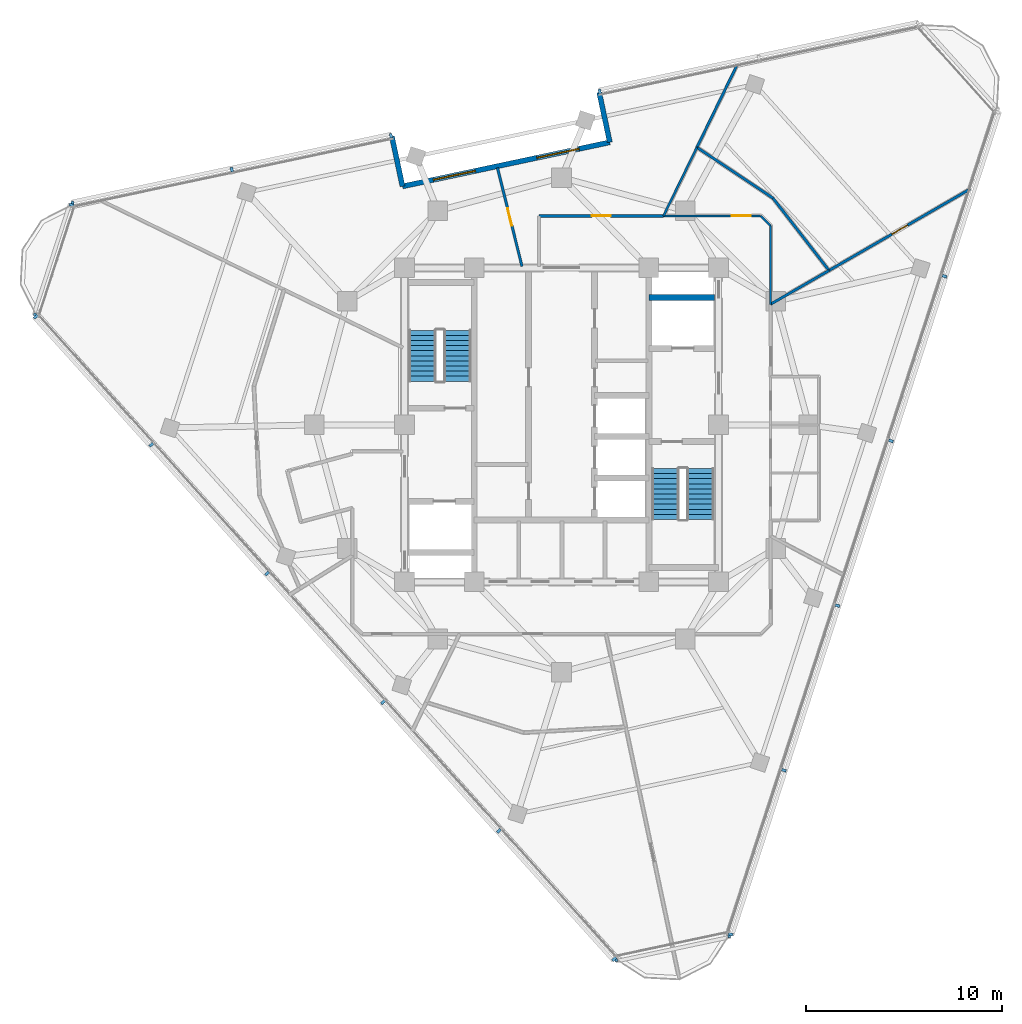
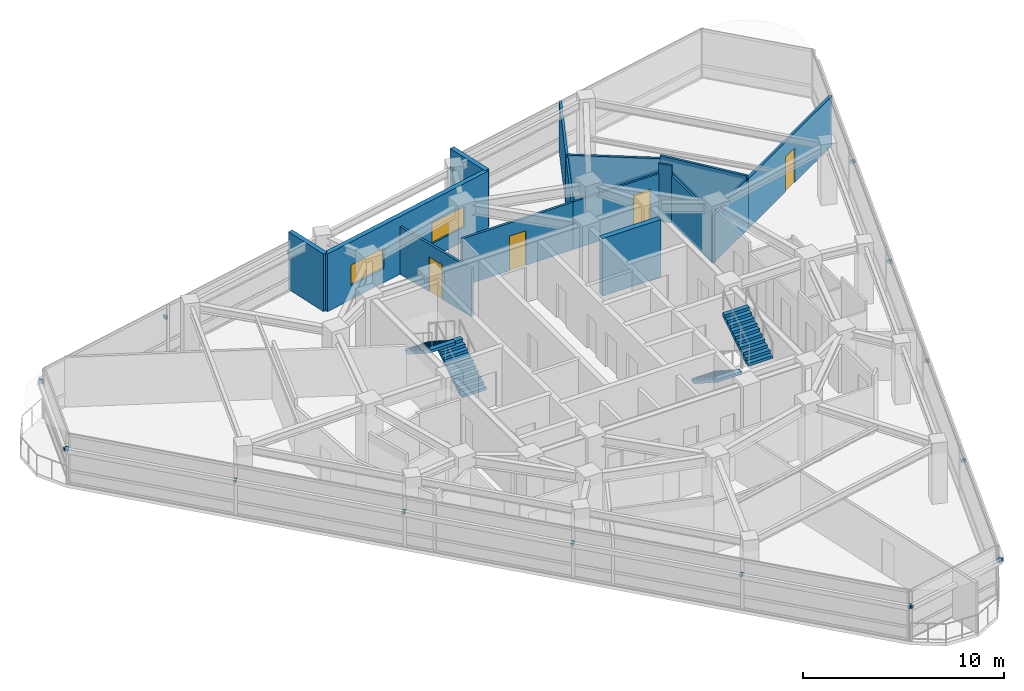
# One storey, part 10 of 15: 19 discrete accessories, 15 walls, 4 doors, 4 stair flights, 2 windows, 6 openings, 2 elements without a shape of their own.
"""IFC4 building model written with IfcOpenShell, lengths in metres."""

from ifc_helpers import new_model, si_unit, direction, frame, frame_2d, origin, origin_2d, place, context, subcontext, project, spatial, polyline, rectangle, outline, extrude, material, layer, layer_set, type_object, element, fill, aggregate, save


model = new_model("IFC4")

# Units and contexts
model_context = context("Model", 3, precision=1e-05, world=origin(), true_north=direction((0.0, 1.0)))
body_context = subcontext(model_context, "Body", "Model", "MODEL_VIEW")
ifc_project = project(units=[si_unit("LENGTHUNIT", "METRE"), si_unit("AREAUNIT", "SQUARE_METRE"), si_unit("VOLUMEUNIT", "CUBIC_METRE"), si_unit("PLANEANGLEUNIT", "RADIAN"), si_unit("MASSUNIT", "GRAM", prefix="KILO")], contexts=[model_context])

# Site, building, storey
site_placement = place(None, origin())
site = spatial("IfcSite", under=ifc_project, at=site_placement, CompositionType="ELEMENT")
building_placement = place(site_placement, origin())
building = spatial("IfcBuilding", under=site, at=building_placement, Name="Terralouvre Media Tower", CompositionType="ELEMENT")
storey_placement = place(building_placement, frame((0.0, 0.0, 305.39990234375)))
storey = spatial("IfcBuildingStorey", under=building, at=storey_placement, Name="L79", CompositionType="ELEMENT", Elevation=305.39990234375)

# Wall
ifc_material_1 = material(Name="Concrete C50/60", Category="concrete")
ifc_layer_1 = layer(ifc_material_1, 0.300048828125, Name="Core Internal Shaft Wall CW-300")
ifc_layer_set_1 = layer_set([ifc_layer_1], Name="Concrete C50/60")
wall_type_1 = type_object("IfcWallType", Name="Core Internal Shaft Wall CW-300", PredefinedType="SHEAR", material=ifc_layer_set_1)
wall_1_placement = place(storey_placement, frame((4.449951171875, 6.5, 0.0), z_axis=(0.0, 0.0, 1.0), x_axis=(1.0, 0.0, 0.0)))
element("IfcWall", 1, at=wall_1_placement, inside=storey, type_object=wall_type_1, Name="L79 Core Shaft Wall FF2N", PredefinedType="SHEAR", context=body_context, shape_type="SweptSolid", body=[
    extrude(rectangle(XDim=3.340087890625, YDim=0.300048828125, at=frame_2d((1.669921875, 0.0))), origin(), (0.0, 0.0, 1.0), 3.5),
])

# Wall, opening, door
ifc_material_2 = material(Name="Fire-rated gypsum board drywall partition")
ifc_layer_2 = layer(ifc_material_2, 0.135009765625, Name="Newsroom Acoustic Partition PT-135")
ifc_layer_set_2 = layer_set([ifc_layer_2], Name="Fire-rated gypsum board drywall partition")
wall_type_2 = type_object("IfcWallType", Name="Newsroom Acoustic Partition PT-135", PredefinedType="PARTITIONING", material=ifc_layer_set_2)
wall_2_placement = place(storey_placement, frame((5.194091796875, 10.64990234375, 0.0), z_axis=(0.0, 0.0, 1.0), x_axis=(-1.0, 0.0, 0.0)))
wall_2 = element("IfcWall", 2, at=wall_2_placement, inside=storey, type_object=wall_type_2, Name="L79 Interior Partition 021", PredefinedType="PARTITIONING", context=body_context, shape_type="SweptSolid", body=[
    extrude(rectangle(XDim=6.343994140625, YDim=0.135009765625, at=frame_2d((3.171875, 0.0))), origin(), (0.0, 0.0, 1.0), 2.885009765625),
])
opening_1_placement = place(wall_2_placement, frame((2.697021484375, 0.0, 0.0)))
opening_1 = element("IfcOpeningElement", 3, at=opening_1_placement, cuts=wall_2, Name="Opening ID-02-95X210", PredefinedType="OPENING", context=body_context, shape_type="SweptSolid", body=[
    extrude(rectangle(XDim=0.949951171875, YDim=2.10009765625, at=frame_2d((0.47509765625, 1.050048828125))), frame((0.0, 0.077392578125, 0.0), z_axis=(0.0, -1.0, 0.0), x_axis=(1.0, 0.0, 0.0)), (0.0, 0.0, 1.0), 0.155029296875),
])
ifc_material_3 = material(Name="Engineered hardwood acoustic timber leaf", Category="wood")
door_type_1 = type_object("IfcDoorType", Name="Office and Meeting Room Door ID-02 (950x2100)", OperationType="NOTDEFINED", PredefinedType="DOOR", material=ifc_material_3)
door_1_placement = place(opening_1_placement, origin())
door_1 = element("IfcDoor", 4, at=door_1_placement, inside=storey, type_object=door_type_1, Name="L79 Microphone Locker Store 9 Door", OperationType="SINGLE_SWING_LEFT", OverallHeight=2.10009765625, OverallWidth=0.949951171875, PredefinedType="DOOR", context=body_context, shape_type="SweptSolid", body=[
    extrude(rectangle(XDim=0.949951171875, YDim=2.10009765625, at=frame_2d((0.47509765625, 1.050048828125))), frame((0.0, 0.02490234375, 0.0), z_axis=(0.0, -1.0, 0.0), x_axis=(1.0, 0.0, 0.0)), (0.0, 0.0, 1.0), 0.050048828125),
])
fill(opening_1, door_1)

wall_3_placement = place(storey_placement, frame((20.832763671875, 12.02783203125, 0.0), z_axis=(0.0, 0.0, 1.0), x_axis=(-0.866007163819, -0.500031591216, 0.0)))
wall_3 = element("IfcWall", 5, at=wall_3_placement, inside=storey, type_object=wall_type_2, Name="L79 Interior Partition 043", PredefinedType="PARTITIONING", context=body_context, shape_type="SweptSolid", body=[
    extrude(rectangle(XDim=8.3173828125, YDim=0.135009765625, at=frame_2d((4.15869140625, 0.0))), origin(), (0.0, 0.0, 1.0), 3.03515625),
])
opening_2_placement = place(wall_3_placement, frame((3.698486328125, 0.0, 0.0)))
opening_2 = element("IfcOpeningElement", 6, at=opening_2_placement, cuts=wall_3, Name="Opening ID-03-92X210", PredefinedType="OPENING", context=body_context, shape_type="SweptSolid", body=[
    extrude(rectangle(XDim=0.919921875, YDim=2.10009765625, at=frame_2d((0.4599609375, 1.050048828125))), frame((0.0, 0.077392578125, 0.0), z_axis=(0.0, -1.0, 0.0), x_axis=(1.0, 0.0, 0.0)), (0.0, 0.0, 1.0), 0.155029296875),
])
ifc_material_4 = material(Name="Engineered hardwood acoustic timber leaf", Category="wood")
door_type_2 = type_object("IfcDoorType", Name="Accessible Restroom and Suite Door ID-03 (920x2100)", OperationType="NOTDEFINED", PredefinedType="DOOR", material=ifc_material_4)
door_2_placement = place(opening_2_placement, origin())
door_2 = element("IfcDoor", 7, at=door_2_placement, inside=storey, type_object=door_type_2, Name="L79 Sound Engineers Crew Room 7 Door", OperationType="SINGLE_SWING_LEFT", OverallHeight=2.10009765625, OverallWidth=0.919921875, PredefinedType="DOOR", context=body_context, shape_type="SweptSolid", body=[
    extrude(rectangle(XDim=0.919921875, YDim=2.10009765625, at=frame_2d((0.4599609375, 1.050048828125))), frame((0.0, 0.02490234375, 0.0), z_axis=(0.0, -1.0, 0.0), x_axis=(1.0, 0.0, 0.0)), (0.0, 0.0, 1.0), 0.050048828125),
])
fill(opening_2, door_2)

# Walls
wall_4_placement = place(storey_placement, frame((13.6298828125, 7.868896484375, 0.0), z_axis=(0.0, 0.0, 1.0), x_axis=(-0.866091067331, -0.499886250151, 0.0)))
element("IfcWall", 8, at=wall_4_placement, inside=storey, type_object=wall_type_2, Name="L79 Interior Partition 044", PredefinedType="PARTITIONING", context=body_context, shape_type="SweptSolid", body=[
    extrude(rectangle(XDim=3.440673828125, YDim=0.135009765625, at=frame_2d((1.72021484375, 0.0))), origin(), (0.0, 0.0, 1.0), 2.885009765625),
])
wall_5_placement = place(storey_placement, frame((6.89892578125, 14.14501953125, 0.0), z_axis=(0.0, 0.0, 1.0), x_axis=(0.831510168033, -0.555509532283, 0.0)))
element("IfcWall", 9, at=wall_5_placement, inside=storey, type_object=wall_type_2, Name="L79 Interior Partition 045", PredefinedType="PARTITIONING", context=body_context, shape_type="SweptSolid", body=[
    extrude(rectangle(XDim=4.66259765625, YDim=0.135009765625, at=frame_2d((2.331298828125, 0.0))), origin(), (0.0, 0.0, 1.0), 3.03515625),
])
wall_6_placement = place(storey_placement, frame((10.77587890625, 11.554931640625, 0.0), z_axis=(0.0, 0.0, 1.0), x_axis=(0.612213330569, -0.790692631731, 0.0)))
element("IfcWall", 10, at=wall_6_placement, inside=storey, type_object=wall_type_2, Name="L79 Interior Partition 046", PredefinedType="PARTITIONING", context=body_context, shape_type="SweptSolid", body=[
    extrude(rectangle(XDim=4.661865234375, YDim=0.135009765625, at=frame_2d((2.3310546875, 0.0))), origin(), (0.0, 0.0, 1.0), 3.215087890625),
])
wall_7_placement = place(storey_placement, frame((8.9541015625, 18.359130859375, 0.0), z_axis=(0.0, 0.0, 1.0), x_axis=(-0.438339504666, -0.898809478504, 0.0)))
element("IfcWall", 11, at=wall_7_placement, inside=storey, type_object=wall_type_2, Name="L79 Interior Partition 047", PredefinedType="PARTITIONING", context=body_context, shape_type="SweptSolid", body=[
    extrude(rectangle(XDim=4.6884765625, YDim=0.135009765625, at=frame_2d((2.34423828125, 0.0))), origin(), (0.0, 0.0, 1.0), 3.03515625),
])

# Wall, opening, door
wall_8_placement = place(storey_placement, frame((-3.2666015625, 13.103515625, 0.0), z_axis=(0.0, 0.0, 1.0), x_axis=(0.241825418424, -0.970319775643, 0.0)))
wall_8 = element("IfcWall", 12, at=wall_8_placement, inside=storey, type_object=wall_type_2, Name="L79 Interior Partition 049", PredefinedType="PARTITIONING", context=body_context, shape_type="SweptSolid", body=[
    extrude(rectangle(XDim=5.177001953125, YDim=0.135009765625, at=frame_2d((2.58837890625, 0.0))), origin(), (0.0, 0.0, 1.0), 2.885009765625),
])
opening_3_placement = place(wall_8_placement, frame((2.128662109375, 0.0, 0.0)))
opening_3 = element("IfcOpeningElement", 13, at=opening_3_placement, cuts=wall_8, Name="Opening ID-03-92X210", PredefinedType="OPENING", context=body_context, shape_type="SweptSolid", body=[
    extrude(rectangle(XDim=0.919921875, YDim=2.10009765625, at=frame_2d((0.4599609375, 1.050048828125))), frame((0.0, 0.077392578125, 0.0), z_axis=(0.0, -1.0, 0.0), x_axis=(1.0, 0.0, 0.0)), (0.0, 0.0, 1.0), 0.155029296875),
])
door_3_placement = place(opening_3_placement, origin())
door_3 = element("IfcDoor", 14, at=door_3_placement, inside=storey, type_object=door_type_2, Name="L79 Audio Tape Archive Storage 10 Door", OperationType="SINGLE_SWING_RIGHT", OverallHeight=2.10009765625, OverallWidth=0.919921875, PredefinedType="DOOR", context=body_context, shape_type="SweptSolid", body=[
    extrude(rectangle(XDim=0.919921875, YDim=2.10009765625, at=frame_2d((0.4599609375, 1.050048828125))), frame((0.0, 0.02490234375, 0.0), z_axis=(0.0, -1.0, 0.0), x_axis=(1.0, 0.0, 0.0)), (0.0, 0.0, 1.0), 0.050048828125),
])
fill(opening_3, door_3)

# Wall, openings, windows
ifc_material_5 = material(Name="Kiln-fired architectural terracotta rainscreen cladding", Category="masonry")
ifc_layer_3 = layer(ifc_material_5, 0.260009765625, Name="Recessed Sky-Garden Acoustic Wall EW-SG260")
ifc_layer_set_3 = layer_set([ifc_layer_3], Name="Kiln-fired architectural terracotta rainscreen cladding")
wall_type_3 = type_object("IfcWallType", Name="Recessed Sky-Garden Acoustic Wall EW-SG260", PredefinedType="SOLIDWALL", material=ifc_layer_set_3)
wall_9_placement = place(storey_placement, frame((2.459228515625, 14.40234375, 0.0), z_axis=(0.0, 0.0, 1.0), x_axis=(-0.978149082982, -0.207904717268, 0.0)))
wall_9 = element("IfcWall", 15, at=wall_9_placement, inside=storey, type_object=wall_type_3, Name="L79 WP Recessed Loggia Back Wall", PredefinedType="SOLIDWALL", context=body_context, shape_type="SweptSolid", body=[
    extrude(rectangle(XDim=10.800048828125, YDim=0.260009765625, at=frame_2d((5.39990234375, 0.0))), origin(), (0.0, 0.0, 1.0), 3.5),
])
opening_4_placement = place(wall_9_placement, frame((1.60009765625, 0.0, 0.85009765625)))
opening_4 = element("IfcOpeningElement", 16, at=opening_4_placement, cuts=wall_9, Name="Opening W-04", PredefinedType="OPENING", context=body_context, shape_type="SweptSolid", body=[
    extrude(rectangle(XDim=2.199951171875, YDim=1.25, at=frame_2d((1.10009765625, 0.625))), frame((0.0, 0.139892578125, 0.0), z_axis=(0.0, -1.0, 0.0), x_axis=(1.0, 0.0, 0.0)), (0.0, 0.0, 1.0), 0.280029296875),
])
opening_5_placement = place(wall_9_placement, frame((7.0, 0.0, 0.85009765625)))
opening_5 = element("IfcOpeningElement", 17, at=opening_5_placement, cuts=wall_9, Name="Opening W-04", PredefinedType="OPENING", context=body_context, shape_type="SweptSolid", body=[
    extrude(rectangle(XDim=2.199951171875, YDim=1.25, at=frame_2d((1.10009765625, 0.625))), frame((0.0, 0.139892578125, 0.0), z_axis=(0.0, -1.0, 0.0), x_axis=(1.0, 0.0, 0.0)), (0.0, 0.0, 1.0), 0.280029296875),
])
ifc_material_6 = material(Name="Low-iron laminated double glazing with solar-control coating", Category="glass")
window_type = type_object("IfcWindowType", Name="Wind-Portal Observation Window W-04", PartitioningType="SINGLE_PANEL", PredefinedType="WINDOW", material=ifc_material_6)
window_1_placement = place(opening_4_placement, origin())
window_1 = element("IfcWindow", 18, at=window_1_placement, inside=storey, type_object=window_type, Name="L79 Pocket Loggia Window 1", OverallHeight=1.25, OverallWidth=2.199951171875, PartitioningType="SINGLE_PANEL", PredefinedType="WINDOW", context=body_context, shape_type="SweptSolid", body=[
    extrude(rectangle(XDim=2.199951171875, YDim=1.25, at=frame_2d((1.10009765625, 0.625))), frame((0.0, 0.030029296875, 0.0), z_axis=(0.0, -1.0, 0.0), x_axis=(1.0, 0.0, 0.0)), (0.0, 0.0, 1.0), 0.06005859375),
])
fill(opening_4, window_1)
window_2_placement = place(opening_5_placement, origin())
window_2 = element("IfcWindow", 19, at=window_2_placement, inside=storey, type_object=window_type, Name="L79 Pocket Loggia Window 2", OverallHeight=1.25, OverallWidth=2.199951171875, PartitioningType="SINGLE_PANEL", PredefinedType="WINDOW", context=body_context, shape_type="SweptSolid", body=[
    extrude(rectangle(XDim=2.199951171875, YDim=1.25, at=frame_2d((1.10009765625, 0.625))), frame((0.0, 0.030029296875, 0.0), z_axis=(0.0, -1.0, 0.0), x_axis=(1.0, 0.0, 0.0)), (0.0, 0.0, 1.0), 0.06005859375),
])
fill(opening_5, window_2)

# Walls
for number, where, z_axis, x_axis, name in (
    (20, (1.918701171875, 16.945556640625, 0.0), (0.0, 0.0, 1.0), (0.207893569688, -0.978151452323, 0.0), "L79 WP Pocket Left Cheek Wall"),
    (21, (-8.104736328125, 12.156982421875, 0.0), (0.0, 0.0, 1.0), (-0.207893569688, 0.978151452323, 0.0), "L79 WP Pocket Right Cheek Wall"),
):
    element("IfcWall", number, at=place(storey_placement, frame(where, z_axis=z_axis, x_axis=x_axis)), inside=storey, type_object=wall_type_3, Name=name, PredefinedType="SOLIDWALL", context=body_context, shape_type="SweptSolid", body=[
        extrude(rectangle(XDim=2.60009765625, YDim=0.260009765625, at=frame_2d((1.300048828125, 0.0))), origin(), (0.0, 0.0, 1.0), 3.5),
    ])
ifc_material_7 = material(Name="Fire-rated gypsum board drywall partition")
ifc_layer_4 = layer(ifc_material_7, 0.114990234375, Name="Restroom and Pantry Partition PT-115")
ifc_layer_set_4 = layer_set([ifc_layer_4], Name="Fire-rated gypsum board drywall partition")
wall_type_4 = type_object("IfcWallType", Name="Restroom and Pantry Partition PT-115", PredefinedType="PARTITIONING", material=ifc_layer_set_4)
wall_10_placement = place(storey_placement, frame((10.64990234375, 6.14892578125, 0.0), z_axis=(0.0, 0.0, 1.0), x_axis=(0.0, 1.0, 0.0)))
element("IfcWall", 22, at=wall_10_placement, inside=storey, type_object=wall_type_4, Name="L79 Interior Partition 018", PredefinedType="PARTITIONING", context=body_context, shape_type="SweptSolid", body=[
    extrude(rectangle(XDim=4.0009765625, YDim=0.114990234375, at=frame_2d((2.00048828125, 0.0))), origin(), (0.0, 0.0, 1.0), 2.885009765625),
])
wall_11_placement = place(storey_placement, frame((10.64990234375, 10.14990234375, 0.0), z_axis=(0.0, 0.0, 1.0), x_axis=(-0.707106781187, 0.707106781187, 0.0)))
element("IfcWall", 23, at=wall_11_placement, inside=storey, type_object=wall_type_4, Name="L79 Interior Partition 019", PredefinedType="PARTITIONING", context=body_context, shape_type="SweptSolid", body=[
    extrude(rectangle(XDim=0.70703125, YDim=0.114990234375, at=frame_2d((0.353515625, 0.0))), origin(), (0.0, 0.0, 1.0), 3.5),
])

# Wall, opening, door
wall_12_placement = place(storey_placement, frame((10.14990234375, 10.64990234375, 0.0), z_axis=(0.0, 0.0, 1.0), x_axis=(-1.0, 0.0, 0.0)))
wall_12 = element("IfcWall", 24, at=wall_12_placement, inside=storey, type_object=wall_type_4, Name="L79 Interior Partition 020", PredefinedType="PARTITIONING", context=body_context, shape_type="SweptSolid", body=[
    extrude(rectangle(XDim=4.955810546875, YDim=0.114990234375, at=frame_2d((2.47802734375, 0.0))), origin(), (0.0, 0.0, 1.0), 2.885009765625),
])
opening_6_placement = place(wall_12_placement, frame((0.51611328125, 0.0, 0.0)))
opening_6 = element("IfcOpeningElement", 25, at=opening_6_placement, cuts=wall_12, Name="Opening SD-01-95X210", PredefinedType="OPENING", context=body_context, shape_type="SweptSolid", body=[
    extrude(rectangle(XDim=0.949951171875, YDim=2.10009765625, at=frame_2d((0.47509765625, 1.050048828125))), frame((0.0, 0.0673828125, 0.0), z_axis=(0.0, -1.0, 0.0), x_axis=(1.0, 0.0, 0.0)), (0.0, 0.0, 1.0), 0.135009765625),
])
ifc_material_8 = material(Name="Anodised extruded aluminium 6063-T6", Category="aluminium")
door_type_3 = type_object("IfcDoorType", Name="Pantry Pocket Sliding Door SD-01 (950x2100)", OperationType="SLIDING_TO_LEFT", PredefinedType="DOOR", material=ifc_material_8)
door_4_placement = place(opening_6_placement, origin())
door_4 = element("IfcDoor", 26, at=door_4_placement, inside=storey, type_object=door_type_3, Name="L79 Artist Hospitality Kitchen 8 Door", OperationType="SLIDING_TO_LEFT", OverallHeight=2.10009765625, OverallWidth=0.949951171875, PredefinedType="DOOR", context=body_context, shape_type="SweptSolid", body=[
    extrude(rectangle(XDim=0.949951171875, YDim=2.10009765625, at=frame_2d((0.47509765625, 1.050048828125))), frame((0.0, 0.02490234375, 0.0), z_axis=(0.0, -1.0, 0.0), x_axis=(1.0, 0.0, 0.0)), (0.0, 0.0, 1.0), 0.050048828125),
])
fill(opening_6, door_4)

# Wall
wall_13_placement = place(storey_placement, frame((6.89892578125, 14.14501953125, 0.0), z_axis=(0.0, 0.0, 1.0), x_axis=(-0.438402604201, -0.898778702813, 0.0)))
element("IfcWall", 27, at=wall_13_placement, inside=storey, type_object=wall_type_4, Name="L79 Interior Partition 048", PredefinedType="PARTITIONING", context=body_context, shape_type="SweptSolid", body=[
    extrude(rectangle(XDim=3.888671875, YDim=0.114990234375, at=frame_2d((1.9443359375, 0.0))), origin(), (0.0, 0.0, 1.0), 2.885009765625),
])

# Stair, stair flights
ifc_material_9 = material(Name="Concrete C45/55", Category="concrete")
stair_type_1 = type_object("IfcStairType", Name="Dogleg Stair Assembly ST-01", PredefinedType="HALF_TURN_STAIR", material=ifc_material_9)
stair_1_placement = place(storey_placement, origin())
stair_1 = element("IfcStair", 28, at=stair_1_placement, inside=storey, type_object=stair_type_1, Name="L79 Core Pressurised Exit Stair ST-01", PredefinedType="HALF_TURN_STAIR")
ifc_material_10 = material(Name="Concrete C45/55", Category="concrete")
stair_flight_type = type_object("IfcStairFlightType", Name="Reinforced Concrete Stair Flight SF-RC1", PredefinedType="STRAIGHT", material=ifc_material_10)
stair_flight_1_placement = place(storey_placement, frame((-5.300048828125, 2.219970703125, 0.0), z_axis=(0.0, 0.0, 1.0), x_axis=(0.0, 1.0, 0.0)))
stair_flight_1 = element("IfcStairFlight", 29, at=stair_flight_1_placement, type_object=stair_flight_type, Name="ST-01 flight 1", NumberOfRisers=11, NumberOfTreads=10, PredefinedType="STRAIGHT", RiserHeight=0.168181818, TreadLength=0.26, context=body_context, shape_type="SweptSolid", body=[
    extrude(outline(polyline([(0.0, 0.0), (0.0, 0.168212890625), (0.260009765625, 0.168212890625), (0.260009765625, 0.33642578125), (0.52001953125, 0.33642578125), (0.52001953125, 0.504638671875), (0.780029296875, 0.504638671875), (0.780029296875, 0.672607421875), (1.0400390625, 0.672607421875), (1.0400390625, 0.8408203125), (1.300048828125, 0.8408203125), (1.300048828125, 1.009033203125), (1.56005859375, 1.009033203125), (1.56005859375, 1.17724609375), (1.820068359375, 1.17724609375), (1.820068359375, 1.345458984375), (2.080078125, 1.345458984375), (2.080078125, 1.513671875), (2.340087890625, 1.513671875), (2.340087890625, 1.681884765625), (2.60009765625, 1.681884765625), (2.60009765625, 1.85009765625), (2.60009765625, 1.503173828125), (0.27587890625, 0.0), (0.0, 0.0)])), frame((0.0, 0.699951171875, 0.0), z_axis=(0.0, -1.0, 0.0), x_axis=(1.0, 0.0, 0.0)), (0.0, 0.0, 1.0), 1.39990234375),
])
stair_flight_2_placement = place(storey_placement, frame((-7.080078125, 4.820068359375, 1.85009765625), z_axis=(0.0, 0.0, 1.0), x_axis=(0.0, -1.0, 0.0)))
stair_flight_2 = element("IfcStairFlight", 30, at=stair_flight_2_placement, type_object=stair_flight_type, Name="ST-01 flight 2", NumberOfRisers=11, NumberOfTreads=10, PredefinedType="STRAIGHT", RiserHeight=0.168181818, TreadLength=0.26, context=body_context, shape_type="SweptSolid", body=[
    extrude(outline(polyline([(0.0, 0.0), (0.0, 0.168212890625), (0.260009765625, 0.168212890625), (0.260009765625, 0.33642578125), (0.52001953125, 0.33642578125), (0.52001953125, 0.504638671875), (0.780029296875, 0.504638671875), (0.780029296875, 0.672607421875), (1.0400390625, 0.672607421875), (1.0400390625, 0.8408203125), (1.300048828125, 0.8408203125), (1.300048828125, 1.009033203125), (1.56005859375, 1.009033203125), (1.56005859375, 1.17724609375), (1.820068359375, 1.17724609375), (1.820068359375, 1.345458984375), (2.080078125, 1.345458984375), (2.080078125, 1.513671875), (2.340087890625, 1.513671875), (2.340087890625, 1.681884765625), (2.60009765625, 1.681884765625), (2.60009765625, 1.85009765625), (2.60009765625, 1.503173828125), (0.27587890625, 0.0), (0.0, 0.0)])), frame((0.0, 0.699951171875, 0.0), z_axis=(0.0, -1.0, 0.0), x_axis=(1.0, 0.0, 0.0)), (0.0, 0.0, 1.0), 1.39990234375),
])
aggregate(stair_1, [stair_flight_1, stair_flight_2])

ifc_material_11 = material(Name="Concrete C45/55", Category="concrete")
stair_type_2 = type_object("IfcStairType", Name="Dogleg Stair Assembly ST-02", PredefinedType="HALF_TURN_STAIR", material=ifc_material_11)
stair_2_placement = place(storey_placement, origin())
stair_2 = element("IfcStair", 31, at=stair_2_placement, inside=storey, type_object=stair_type_2, Name="L79 Core Pressurised Exit Stair ST-02", PredefinedType="HALF_TURN_STAIR")
stair_flight_3_placement = place(storey_placement, frame((5.300048828125, -2.219970703125, 0.0), z_axis=(0.0, 0.0, 1.0), x_axis=(0.0, -1.0, 0.0)))
stair_flight_3 = element("IfcStairFlight", 32, at=stair_flight_3_placement, type_object=stair_flight_type, Name="ST-02 flight 1", NumberOfRisers=11, NumberOfTreads=10, PredefinedType="STRAIGHT", RiserHeight=0.168181818, TreadLength=0.26, context=body_context, shape_type="SweptSolid", body=[
    extrude(outline(polyline([(0.0, 0.0), (0.0, 0.168212890625), (0.260009765625, 0.168212890625), (0.260009765625, 0.33642578125), (0.52001953125, 0.33642578125), (0.52001953125, 0.504638671875), (0.780029296875, 0.504638671875), (0.780029296875, 0.672607421875), (1.0400390625, 0.672607421875), (1.0400390625, 0.8408203125), (1.300048828125, 0.8408203125), (1.300048828125, 1.009033203125), (1.56005859375, 1.009033203125), (1.56005859375, 1.17724609375), (1.820068359375, 1.17724609375), (1.820068359375, 1.345458984375), (2.080078125, 1.345458984375), (2.080078125, 1.513671875), (2.340087890625, 1.513671875), (2.340087890625, 1.681884765625), (2.60009765625, 1.681884765625), (2.60009765625, 1.85009765625), (2.60009765625, 1.503173828125), (0.27587890625, 0.0), (0.0, 0.0)])), frame((0.0, 0.699951171875, 0.0), z_axis=(0.0, -1.0, 0.0), x_axis=(1.0, 0.0, 0.0)), (0.0, 0.0, 1.0), 1.39990234375),
])
stair_flight_4_placement = place(storey_placement, frame((7.080078125, -4.820068359375, 1.85009765625), z_axis=(0.0, 0.0, 1.0), x_axis=(0.0, 1.0, 0.0)))
stair_flight_4 = element("IfcStairFlight", 33, at=stair_flight_4_placement, type_object=stair_flight_type, Name="ST-02 flight 2", NumberOfRisers=11, NumberOfTreads=10, PredefinedType="STRAIGHT", RiserHeight=0.168181818, TreadLength=0.26, context=body_context, shape_type="SweptSolid", body=[
    extrude(outline(polyline([(0.0, 0.0), (0.0, 0.168212890625), (0.260009765625, 0.168212890625), (0.260009765625, 0.33642578125), (0.52001953125, 0.33642578125), (0.52001953125, 0.504638671875), (0.780029296875, 0.504638671875), (0.780029296875, 0.672607421875), (1.0400390625, 0.672607421875), (1.0400390625, 0.8408203125), (1.300048828125, 0.8408203125), (1.300048828125, 1.009033203125), (1.56005859375, 1.009033203125), (1.56005859375, 1.17724609375), (1.820068359375, 1.17724609375), (1.820068359375, 1.345458984375), (2.080078125, 1.345458984375), (2.080078125, 1.513671875), (2.340087890625, 1.513671875), (2.340087890625, 1.681884765625), (2.60009765625, 1.681884765625), (2.60009765625, 1.85009765625), (2.60009765625, 1.503173828125), (0.27587890625, 0.0), (0.0, 0.0)])), frame((0.0, 0.699951171875, 0.0), z_axis=(0.0, -1.0, 0.0), x_axis=(1.0, 0.0, 0.0)), (0.0, 0.0, 1.0), 1.39990234375),
])
aggregate(stair_2, [stair_flight_3, stair_flight_4])

# Discrete accessories
ifc_material_12 = material(Name="Anodised extruded aluminium 6063-T6", Category="aluminium")
discrete_accessory_type = type_object("IfcDiscreteAccessoryType", Name="Mullion Stand-Off Baguette Fixing Bracket BK-01", PredefinedType="BRACKET", material=ifc_material_12)
for number, where, z_axis, x_axis, name in (
    (34, (8.617431640625, -25.955810546875, 2.07421875), (0.0, 0.0, 1.0), (0.309017021946, 0.951056507337, 0.0), "CW-L79-F0 Baguette Outrigger Bracket 1.01"),
    (35, (11.33251953125, -17.599365234375, 2.07421875), (0.0, 0.0, 1.0), (0.309017021946, 0.951056507337, 0.0), "CW-L79-F0 Baguette Outrigger Bracket 1.02"),
    (36, (14.059326171875, -9.207275390625, 2.07421875), (0.0, 0.0, 1.0), (0.309017021946, 0.951056507337, 0.0), "CW-L79-F0 Baguette Outrigger Bracket 1.03"),
    (37, (16.7861328125, -0.815185546875, 2.07421875), (0.0, 0.0, 1.0), (0.309017021946, 0.951056507337, 0.0), "CW-L79-F0 Baguette Outrigger Bracket 1.04"),
    (38, (19.5126953125, 7.5771484375, 2.07421875), (0.0, 0.0, 1.0), (0.309017021946, 0.951056507337, 0.0), "CW-L79-F0 Baguette Outrigger Bracket 1.05"),
    (39, (1.947021484375, 16.992431640625, 2.07421875), (0.0, 0.0, 1.0), (-0.978147588229, -0.207911749648, 0.0), "CW-L79-F1L Baguette Outrigger Bracket 1.03"),
    (40, (-8.690185546875, 14.7314453125, 2.07421875), (0.0, 0.0, 1.0), (-0.978147684351, -0.20791129743, 0.0), "CW-L79-F1R Baguette Outrigger Bracket 1.01"),
    (41, (-16.801513671875, 13.00732421875, 2.07421875), (0.0, 0.0, 1.0), (-0.978147684351, -0.20791129743, 0.0), "CW-L79-F1R Baguette Outrigger Bracket 1.02"),
    (42, (-24.912841796875, 11.283203125, 2.07421875), (0.0, 0.0, 1.0), (-0.978147684351, -0.20791129743, 0.0), "CW-L79-F1R Baguette Outrigger Bracket 1.03"),
    (43, (-26.787109375, 5.51513671875, 2.07421875), (0.0, 0.0, 1.0), (0.669130573531, -0.743144855036, 0.0), "CW-L79-F2 Baguette Outrigger Bracket 1.01"),
    (44, (-20.90771484375, -1.0146484375, 2.07421875), (0.0, 0.0, 1.0), (0.669130573531, -0.743144855036, 0.0), "CW-L79-F2 Baguette Outrigger Bracket 1.02"),
    (45, (-15.00341796875, -7.572021484375, 2.07421875), (0.0, 0.0, 1.0), (0.669130573531, -0.743144855036, 0.0), "CW-L79-F2 Baguette Outrigger Bracket 1.03"),
    (46, (-9.098876953125, -14.129638671875, 2.07421875), (0.0, 0.0, 1.0), (0.669130573531, -0.743144855036, 0.0), "CW-L79-F2 Baguette Outrigger Bracket 1.04"),
    (47, (-3.194580078125, -20.68701171875, 2.07421875), (0.0, 0.0, 1.0), (0.669130573531, -0.743144855036, 0.0), "CW-L79-F2 Baguette Outrigger Bracket 1.05"),
    (48, (2.684814453125, -27.216796875, 2.07421875), (0.0, 0.0, 1.0), (0.669130573531, -0.743144855036, 0.0), "CW-L79-F2 Baguette Outrigger Bracket 1.06"),
    (49, (2.780517578125, -27.229736328125, 2.07421875), (0.0, 0.0, 1.0), (0.978147609922, 0.207911647592, 0.0), "CW-L79-C0 Baguette Outrigger Bracket 1.01"),
    (50, (8.53515625, -26.00634765625, 2.07421875), (0.0, 0.0, 1.0), (0.978147609922, 0.207911647592, 0.0), "CW-L79-C0 Baguette Outrigger Bracket 1.02"),
    (51, (-24.9716796875, 11.206787109375, 2.07421875), (0.0, 0.0, 1.0), (-0.30901654693, -0.951056661679, 0.0), "CW-L79-C2 Baguette Outrigger Bracket 1.01"),
    (52, (-26.789794921875, 5.611572265625, 2.07421875), (0.0, 0.0, 1.0), (-0.30901654693, -0.951056661679, 0.0), "CW-L79-C2 Baguette Outrigger Bracket 1.02"),
):
    element("IfcDiscreteAccessory", number, at=place(storey_placement, frame(where, z_axis=z_axis, x_axis=x_axis)), inside=storey, type_object=discrete_accessory_type, Name=name, PredefinedType="BRACKET", context=body_context, shape_type="SweptSolid", body=[
        extrude(rectangle(XDim=0.139892578125, YDim=0.239990234375, at=origin_2d()), origin(), (0.0, 0.0, 1.0), 0.179931640625),
    ])

save(model, "model.ifc")
